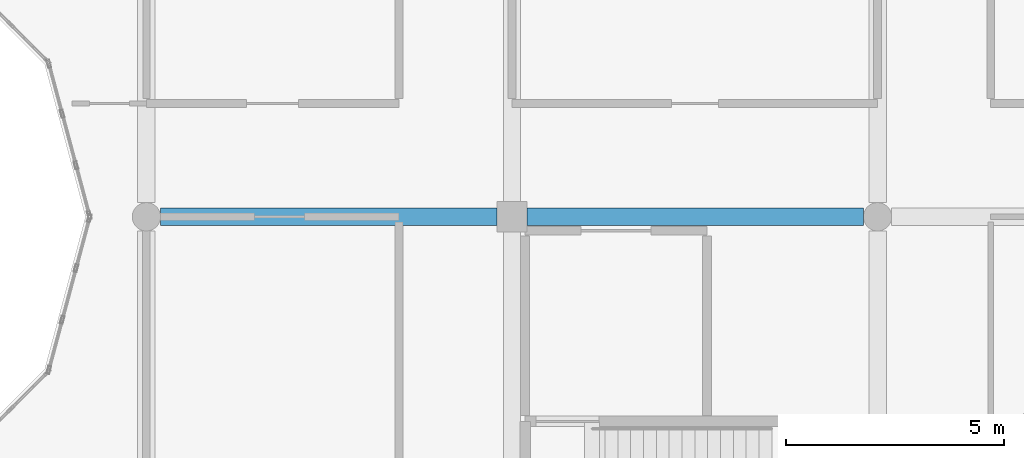
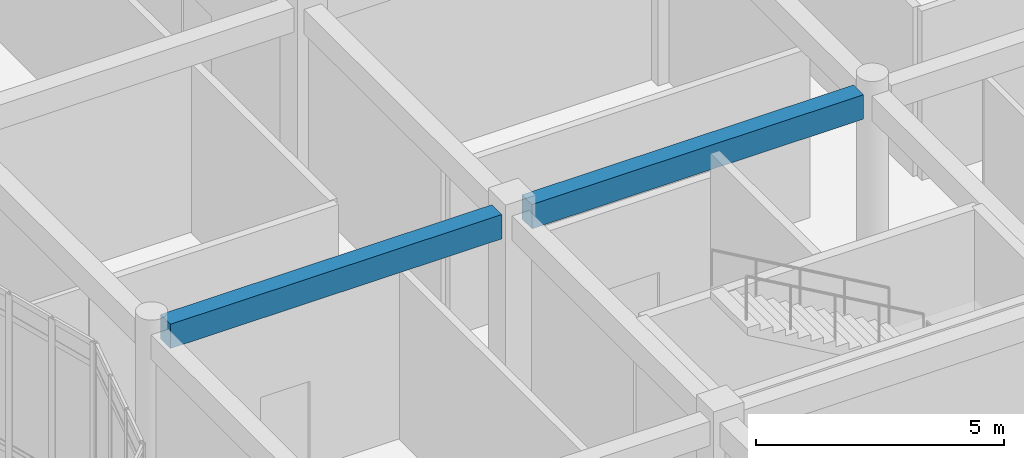
# One storey, part 50 of 134: 2 beams.
"""IFC4 building model written with IfcOpenShell, lengths in metres."""

from ifc_helpers import new_model, si_unit, direction, frame, origin, origin_2d, place, context, subcontext, project, spatial, rectangle, extrude, material, material_profile, profile_set, type_object, element, save


model = new_model("IFC4")

# Units and contexts
model_context = context("Model", 3, precision=1e-05, world=origin(), true_north=direction((0.0, 1.0)))
body_context = subcontext(model_context, "Body", "Model", "MODEL_VIEW")
ifc_project = project(units=[si_unit("LENGTHUNIT", "METRE"), si_unit("AREAUNIT", "SQUARE_METRE"), si_unit("VOLUMEUNIT", "CUBIC_METRE"), si_unit("PLANEANGLEUNIT", "RADIAN"), si_unit("MASSUNIT", "GRAM", prefix="KILO")], contexts=[model_context])

# Site, building, storey
site_placement = place(None, origin())
site = spatial("IfcSite", under=ifc_project, at=site_placement, CompositionType="ELEMENT")
building_placement = place(site_placement, origin())
building = spatial("IfcBuilding", under=site, at=building_placement, Name="Bramfleet General Hospital", CompositionType="ELEMENT")
storey_placement = place(building_placement, frame((0.0, 0.0, 9.300048828125)))
storey = spatial("IfcBuildingStorey", under=building, at=storey_placement, Name="L02", CompositionType="ELEMENT", Elevation=9.300048828125)

# Beams
ifc_material = material(Name="Concrete C35/45", Category="concrete")
ifc_material_profile = material_profile(ifc_material, rectangle(XDim=0.39990234375, YDim=0.60009765625, at=origin_2d()), Name="RC BM 600x400")
ifc_profile_set = profile_set([ifc_material_profile], Name="Concrete C35/45")
beam_type = type_object("IfcBeamType", Name="BM-RC600", PredefinedType="BEAM", material=ifc_profile_set)
beam_1_placement = place(storey_placement, frame((92.72509765625, 75.60009765625, 4.47998046875), z_axis=(1.0, 0.0, 0.0), x_axis=(0.0, 1.0, 0.0)))
element("IfcBeam", 1, at=beam_1_placement, inside=storey, type_object=beam_type, Name="L02 Grid Beam X 11-09", PredefinedType="BEAM", context=body_context, shape_type="SweptSolid", body=[
    extrude(rectangle(XDim=0.39990234375, YDim=0.60009765625, at=origin_2d()), origin(), (0.0, 0.0, 1.0), 7.724853515625),
])
beam_2_placement = place(storey_placement, frame((101.14990234375, 75.60009765625, 4.47998046875), z_axis=(1.0, 0.0, 0.0), x_axis=(0.0, 1.0, 0.0)))
element("IfcBeam", 2, at=beam_2_placement, inside=storey, type_object=beam_type, Name="L02 Grid Beam X 12-09", PredefinedType="BEAM", context=body_context, shape_type="SweptSolid", body=[
    extrude(rectangle(XDim=0.39990234375, YDim=0.60009765625, at=origin_2d()), origin(), (0.0, 0.0, 1.0), 7.72509765625),
])

save(model, "model.ifc")
